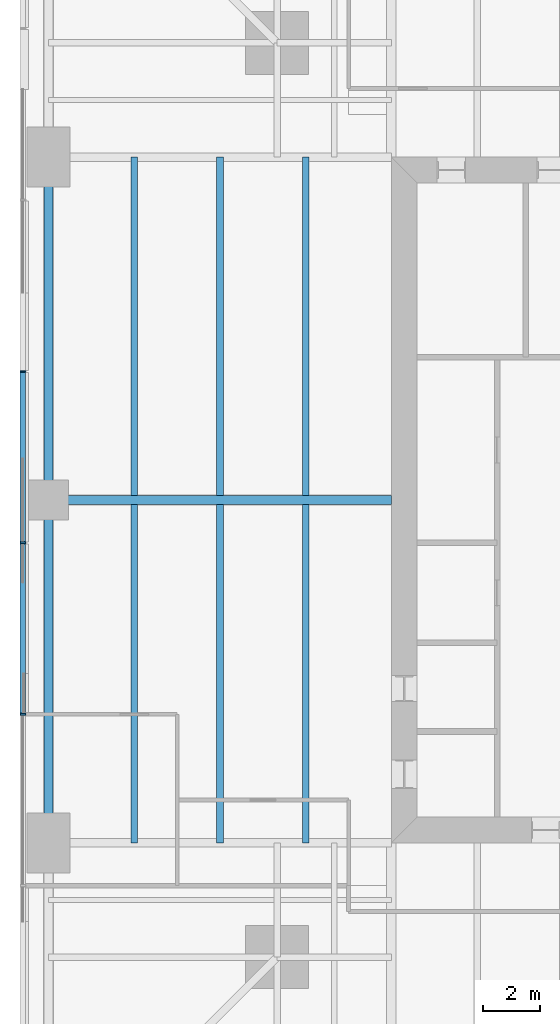
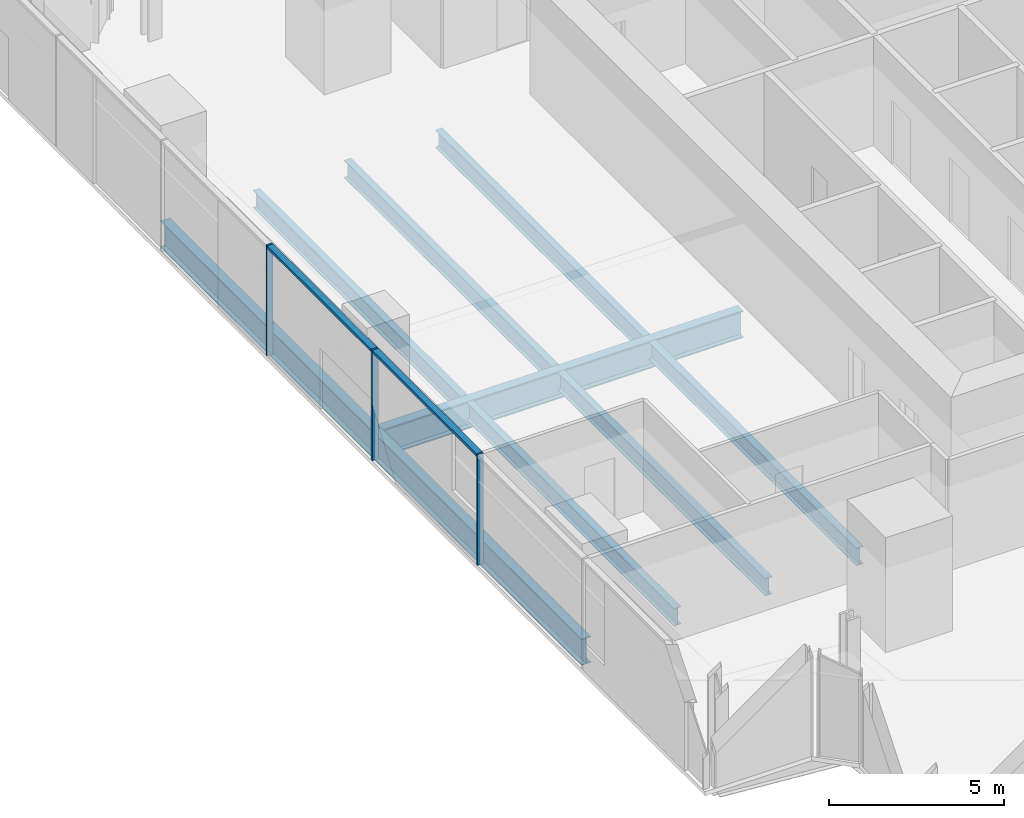
# One storey, part 4 of 13: 9 beams, 5 members, 1 element without a shape of its own.
"""IFC4 building model written with IfcOpenShell, lengths in metres."""

from ifc_helpers import new_model, si_unit, direction, frame, origin, origin_2d, place, context, subcontext, project, spatial, rectangle, i_section, extrude, material, material_profile, profile_set, type_object, element, aggregate, save


model = new_model("IFC4")

# Units and contexts
model_context = context("Model", 3, precision=1e-05, world=origin(), true_north=direction((0.0, 1.0)))
body_context = subcontext(model_context, "Body", "Model", "MODEL_VIEW")
ifc_project = project(units=[si_unit("LENGTHUNIT", "METRE"), si_unit("AREAUNIT", "SQUARE_METRE"), si_unit("VOLUMEUNIT", "CUBIC_METRE"), si_unit("PLANEANGLEUNIT", "RADIAN"), si_unit("MASSUNIT", "GRAM", prefix="KILO")], contexts=[model_context])

# Site, building, storey
site_placement = place(None, origin())
site = spatial("IfcSite", under=ifc_project, at=site_placement, CompositionType="ELEMENT")
building_placement = place(site_placement, origin())
building = spatial("IfcBuilding", under=site, at=building_placement, Name="Fenwick Lantern Interchange", CompositionType="ELEMENT")
storey_placement = place(building_placement, frame((0.0, 0.0, 106.39990234375)))
storey = spatial("IfcBuildingStorey", under=building, at=storey_placement, Name="L24", CompositionType="ELEMENT", Elevation=106.39990234375)

# Beams
ifc_material_1 = material(Name="Steel ASTM A992 Grade 50", Category="steel")
ifc_material_profile_1 = material_profile(ifc_material_1, i_section(OverallWidth=0.3046875, OverallDepth=0.911865234375, WebThickness=0.015869140625, FlangeThickness=0.02392578125, at=origin_2d()), Name="W36X150")
ifc_profile_set_1 = profile_set([ifc_material_profile_1], Name="Steel ASTM A992 Grade 50")
beam_type_1 = type_object("IfcBeamType", Name="EDGE BEAM W36X150", PredefinedType="SPANDREL", material=ifc_profile_set_1)
for number, where, z_axis, x_axis, name in (
    (1, (1.0, 37.0, -0.605712890625), (0.0, -1.0, 0.0), (1.0, 0.0, 0.0), "L24/FR/W/EB2"),
    (2, (1.0, 25.0, -0.605712890625), (0.0, -1.0, 0.0), (1.0, 0.0, 0.0), "L24/FR/W/EB3"),
):
    element("IfcBeam", number, at=place(storey_placement, frame(where, z_axis=z_axis, x_axis=x_axis)), inside=storey, type_object=beam_type_1, Name=name, PredefinedType="SPANDREL", context=body_context, shape_type="SweptSolid", body=[
        extrude(i_section(OverallWidth=0.3046875, OverallDepth=0.911865234375, WebThickness=0.015869140625, FlangeThickness=0.02392578125, at=origin_2d()), origin(), (0.0, 0.0, 1.0), 12.0),
    ])
ifc_material_profile_2 = material_profile(ifc_material_1, i_section(OverallWidth=0.22900390625, OverallDepth=0.612060546875, WebThickness=0.011962890625, FlangeThickness=0.01953125, at=origin_2d()), Name="W24X84")
ifc_profile_set_2 = profile_set([ifc_material_profile_2], Name="Steel ASTM A992 Grade 50")
beam_type_2 = type_object("IfcBeamType", Name="FLOOR BEAM W24X84", PredefinedType="BEAM", material=ifc_profile_set_2)
for number, where, z_axis, x_axis, name in (
    (3, (4.0, 37.0, -0.4560546875), (0.0, -1.0, 0.0), (1.0, 0.0, 0.0), "L24/FR/W/B01"),
    (4, (7.0, 37.0, -0.4560546875), (0.0, -1.0, 0.0), (1.0, 0.0, 0.0), "L24/FR/W/B02"),
    (5, (10.0, 37.0, -0.4560546875), (0.0, -1.0, 0.0), (1.0, 0.0, 0.0), "L24/FR/W/B03"),
    (6, (4.0, 24.844970703125, -0.4560546875), (0.0, -1.0, 0.0), (1.0, 0.0, 0.0), "L24/FR/W/B04"),
    (7, (7.0, 24.844970703125, -0.4560546875), (0.0, -1.0, 0.0), (1.0, 0.0, 0.0), "L24/FR/W/B05"),
    (8, (10.0, 24.844970703125, -0.4560546875), (0.0, -1.0, 0.0), (1.0, 0.0, 0.0), "L24/FR/W/B06"),
):
    element("IfcBeam", number, at=place(storey_placement, frame(where, z_axis=z_axis, x_axis=x_axis)), inside=storey, type_object=beam_type_2, Name=name, PredefinedType="BEAM", context=body_context, shape_type="SweptSolid", body=[
        extrude(i_section(OverallWidth=0.22900390625, OverallDepth=0.612060546875, WebThickness=0.011962890625, FlangeThickness=0.01953125, at=origin_2d()), origin(), (0.0, 0.0, 1.0), 11.844970703125),
    ])
ifc_material_profile_3 = material_profile(ifc_material_1, i_section(OverallWidth=0.309814453125, OverallDepth=0.949951171875, WebThickness=0.0244140625, FlangeThickness=0.0439453125, at=origin_2d()), Name="W36X256")
ifc_profile_set_3 = profile_set([ifc_material_profile_3], Name="Steel ASTM A992 Grade 50")
beam_type_3 = type_object("IfcBeamType", Name="MOMENT-CONNECTED GIRDER W36X256", PredefinedType="BEAM", material=ifc_profile_set_3)
beam_placement = place(storey_placement, frame((1.0, 25.0, -0.625), z_axis=(1.0, 0.0, 0.0), x_axis=(0.0, 1.0, 0.0)))
element("IfcBeam", 9, at=beam_placement, inside=storey, type_object=beam_type_3, Name="L24/FR/W/R02", PredefinedType="BEAM", context=body_context, shape_type="SweptSolid", body=[
    extrude(i_section(OverallWidth=0.309814453125, OverallDepth=0.949951171875, WebThickness=0.0244140625, FlangeThickness=0.0439453125, at=origin_2d()), origin(), (0.0, 0.0, 1.0), 12.0),
])

# Curtain wall, members
ifc_material_2 = material(Name="Aluminium curtain wall frame", Category="aluminium")
curtain_wall_type = type_object("IfcCurtainWallType", Name="OFFICE CURTAIN WALL", PredefinedType="USERDEFINED", material=ifc_material_2)
curtain_wall_placement = place(storey_placement, origin())
curtain_wall = element("IfcCurtainWall", 10, at=curtain_wall_placement, inside=storey, type_object=curtain_wall_type, Name="Office curtain wall 13", ObjectType="OFFICE CURTAIN WALL", PredefinedType="USERDEFINED")
ifc_material_3 = material(Name="Aluminium extrusion", Category="aluminium")
ifc_material_profile_4 = material_profile(ifc_material_3, rectangle(XDim=0.199951171875, YDim=0.06494140625, at=origin_2d()), Name="OFFICE CURTAIN WALL MULLION 65 X 200")
ifc_profile_set_4 = profile_set([ifc_material_profile_4], Name="Aluminium extrusion")
member_type_1 = type_object("IfcMemberType", Name="OFFICE CURTAIN WALL MULLION 65 X 200", PredefinedType="MULLION", material=ifc_profile_set_4)
member_1_placement = place(storey_placement, frame((0.10009765625, 29.5, 0.0), z_axis=(0.0, 0.0, 1.0), x_axis=(1.0, 0.0, 0.0)))
member_1 = element("IfcMember", 11, at=member_1_placement, type_object=member_type_1, Name="L24/CW/13/M03", PredefinedType="MULLION", context=body_context, shape_type="SweptSolid", body=[
    extrude(rectangle(XDim=0.199951171875, YDim=0.06494140625, at=origin_2d()), origin(), (0.0, 0.0, 1.0), 3.85009765625),
])
member_2_placement = place(storey_placement, frame((0.10009765625, 23.5, 0.0), z_axis=(0.0, 0.0, 1.0), x_axis=(1.0, 0.0, 0.0)))
member_2 = element("IfcMember", 12, at=member_2_placement, type_object=member_type_1, Name="L24/CW/13/M04", PredefinedType="MULLION", context=body_context, shape_type="SweptSolid", body=[
    extrude(rectangle(XDim=0.199951171875, YDim=0.06494140625, at=origin_2d()), origin(), (0.0, 0.0, 1.0), 3.85009765625),
])
member_3_placement = place(storey_placement, frame((0.10009765625, 17.5, 0.0), z_axis=(0.0, 0.0, 1.0), x_axis=(1.0, 0.0, 0.0)))
member_3 = element("IfcMember", 13, at=member_3_placement, type_object=member_type_1, Name="L24/CW/13/M05", PredefinedType="MULLION", context=body_context, shape_type="SweptSolid", body=[
    extrude(rectangle(XDim=0.199951171875, YDim=0.06494140625, at=origin_2d()), origin(), (0.0, 0.0, 1.0), 3.85009765625),
])
ifc_material_profile_5 = material_profile(ifc_material_3, rectangle(XDim=0.199951171875, YDim=0.10009765625, at=origin_2d()), Name="OFFICE CURTAIN WALL TRANSOM 100 X 200")
ifc_profile_set_5 = profile_set([ifc_material_profile_5], Name="Aluminium extrusion")
member_type_2 = type_object("IfcMemberType", Name="OFFICE CURTAIN WALL TRANSOM 100 X 200", PredefinedType="MULLION", material=ifc_profile_set_5)
member_4_placement = place(storey_placement, frame((0.10009765625, 29.467529296875, 3.800048828125), z_axis=(0.0, -1.0, 0.0), x_axis=(1.0, 0.0, 0.0)))
member_4 = element("IfcMember", 14, at=member_4_placement, type_object=member_type_2, Name="L24/CW/13/T03", PredefinedType="MULLION", context=body_context, shape_type="SweptSolid", body=[
    extrude(rectangle(XDim=0.199951171875, YDim=0.10009765625, at=origin_2d()), origin(), (0.0, 0.0, 1.0), 5.93505859375),
])
member_5_placement = place(storey_placement, frame((0.10009765625, 23.467529296875, 3.800048828125), z_axis=(0.0, -1.0, 0.0), x_axis=(1.0, 0.0, 0.0)))
member_5 = element("IfcMember", 15, at=member_5_placement, type_object=member_type_2, Name="L24/CW/13/T04", PredefinedType="MULLION", context=body_context, shape_type="SweptSolid", body=[
    extrude(rectangle(XDim=0.199951171875, YDim=0.10009765625, at=origin_2d()), origin(), (0.0, 0.0, 1.0), 5.93505859375),
])
aggregate(curtain_wall, [member_1, member_2, member_3, member_4, member_5])

save(model, "model.ifc")
